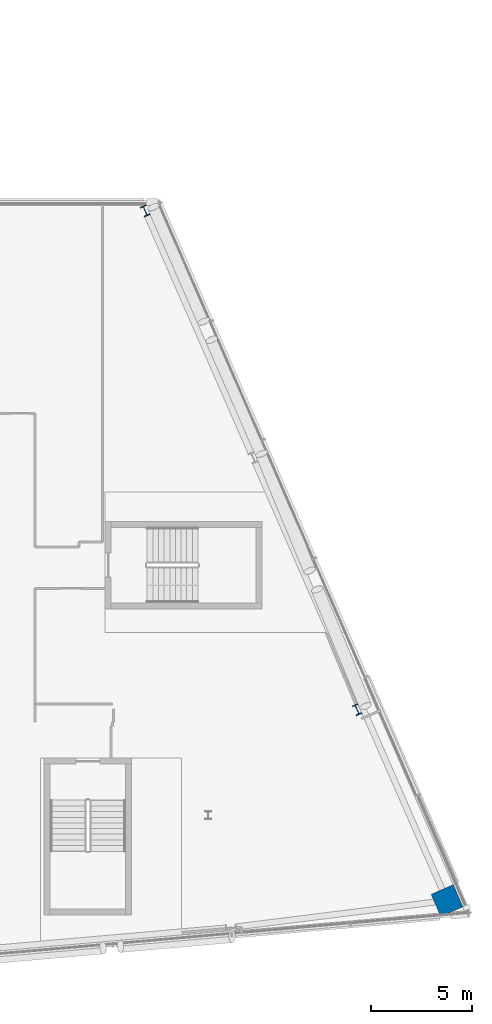
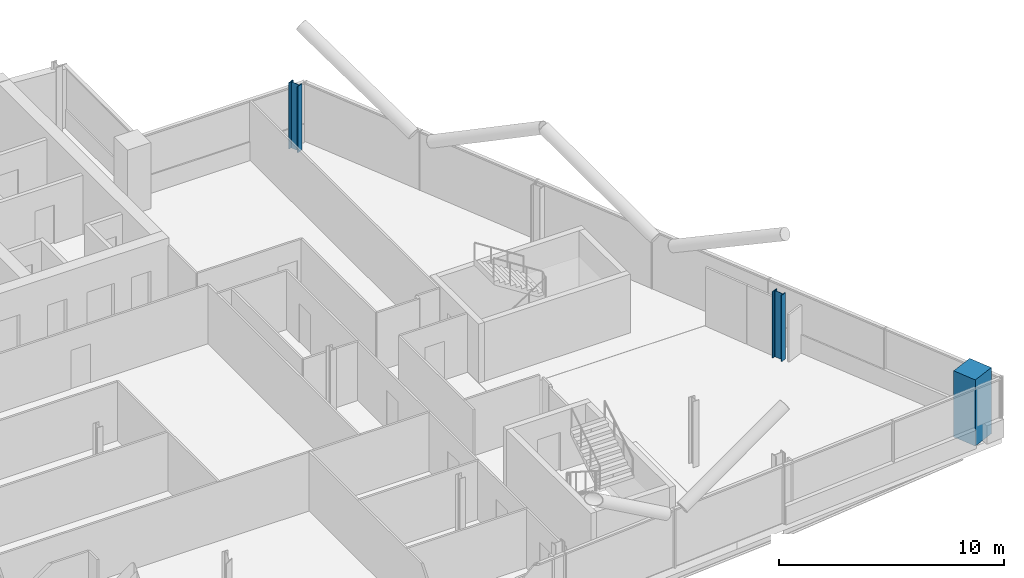
# One storey, part 4 of 27: 3 columns.
"""IFC4 building model written with IfcOpenShell, lengths in metres."""

from ifc_helpers import new_model, si_unit, direction, frame, origin, origin_2d, place, context, subcontext, project, spatial, rectangle, i_section, extrude, material, material_profile, profile_set, type_object, element, save


model = new_model("IFC4")

# Units and contexts
model_context = context("Model", 3, precision=1e-05, world=origin(), true_north=direction((0.0, 1.0)))
body_context = subcontext(model_context, "Body", "Model", "MODEL_VIEW")
ifc_project = project(units=[si_unit("LENGTHUNIT", "METRE"), si_unit("AREAUNIT", "SQUARE_METRE"), si_unit("VOLUMEUNIT", "CUBIC_METRE"), si_unit("PLANEANGLEUNIT", "RADIAN"), si_unit("MASSUNIT", "GRAM", prefix="KILO")], contexts=[model_context])

# Site, building, storey
site_placement = place(None, origin())
site = spatial("IfcSite", under=ifc_project, at=site_placement, CompositionType="ELEMENT")
building_placement = place(site_placement, origin())
building = spatial("IfcBuilding", under=site, at=building_placement, Name="Wharfspan Tower", CompositionType="ELEMENT")
storey_placement = place(building_placement, frame((0.0, 0.0, 221.5)))
storey = spatial("IfcBuildingStorey", under=building, at=storey_placement, Name="L55", CompositionType="ELEMENT", Elevation=221.5)

# Columns
ifc_material_1 = material(Name="Steel S355J2", Category="steel")
ifc_material_profile_1 = material_profile(ifc_material_1, i_section(OverallWidth=0.305908, OverallDepth=0.523926, WebThickness=0.020996, FlangeThickness=0.040039, FilletRadius=0.0271, at=origin_2d()))
ifc_profile_set_1 = profile_set([ifc_material_profile_1], Name="Steel S355J2")
column_type_1 = type_object("IfcColumnType", Name="Column HEM 500", PredefinedType="COLUMN", material=ifc_profile_set_1)
for number, where, z_axis, x_axis, name in (
    (1, (79.409668, 16.761719, 0.0), (0.0, 0.0, 1.0), (0.917072, 0.398727, 0.0), "Perimeter column PE.1 L55"),
    (2, (68.867188, 41.572266, 0.0), (0.0, 0.0, 1.0), (0.917072, 0.398727, 0.0), "Perimeter column PE.3 L55"),
):
    element("IfcColumn", number, at=place(storey_placement, frame(where, z_axis=z_axis, x_axis=x_axis)), inside=storey, type_object=column_type_1, Name=name, PredefinedType="COLUMN", context=body_context, shape_type="SweptSolid", body=[
        extrude(i_section(OverallWidth=0.305908, OverallDepth=0.523926, WebThickness=0.020996, FlangeThickness=0.040039, FilletRadius=0.0271, at=origin_2d()), origin(), (0.0, 0.0, 1.0), 3.600098),
    ])
ifc_material_2 = material(Name="Concrete C50/60", Category="concrete")
ifc_material_profile_2 = material_profile(ifc_material_2, rectangle(XDim=1.199951, YDim=1.199951, at=origin_2d()))
ifc_profile_set_2 = profile_set([ifc_material_profile_2], Name="Concrete C50/60")
column_type_2 = type_object("IfcColumnType", Name="Mega column 1200 C50/60", PredefinedType="COLUMN", material=ifc_profile_set_2)
column_placement = place(storey_placement, frame((83.882812, 7.264648, 0.0), z_axis=(0.0, 0.0, 1.0), x_axis=(-0.398727, 0.917072, 0.0)))
element("IfcColumn", 3, at=column_placement, inside=storey, type_object=column_type_2, Name="Mega column MC4 L55", PredefinedType="COLUMN", context=body_context, shape_type="SweptSolid", body=[
    extrude(rectangle(XDim=1.199951, YDim=1.199951, at=origin_2d()), origin(), (0.0, 0.0, 1.0), 3.600098),
])

save(model, "model.ifc")
